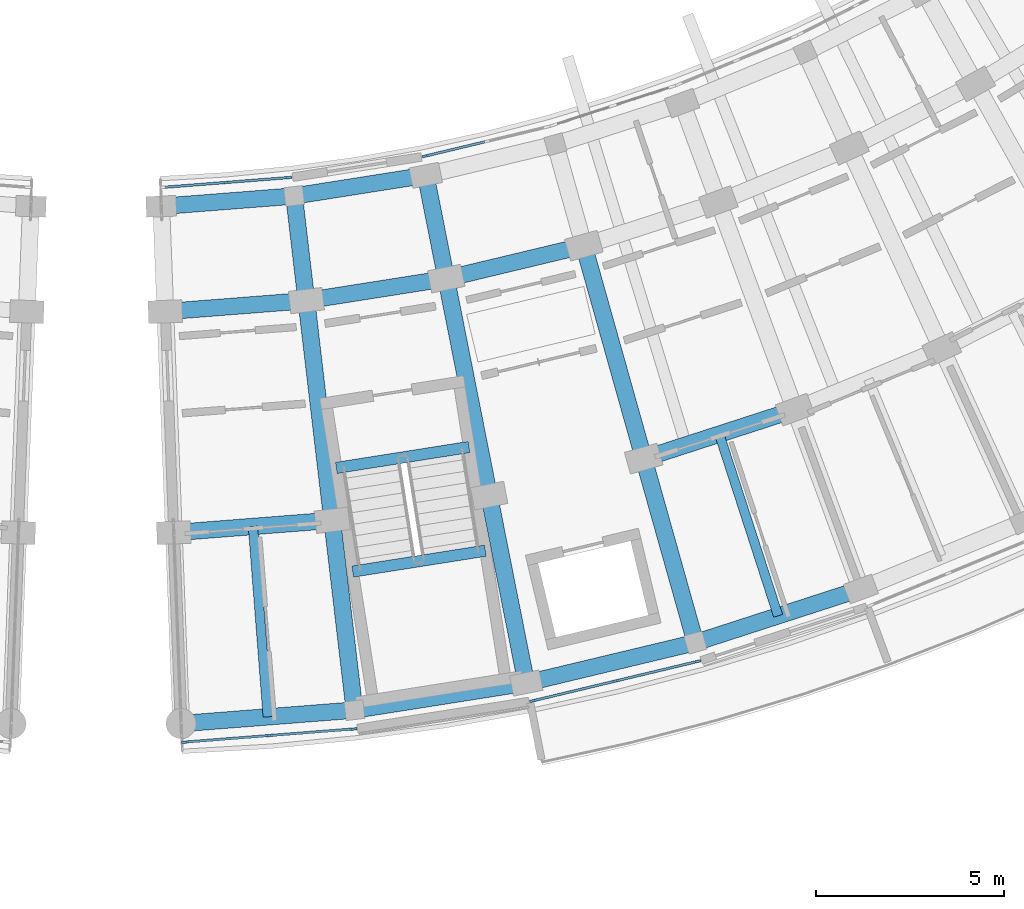
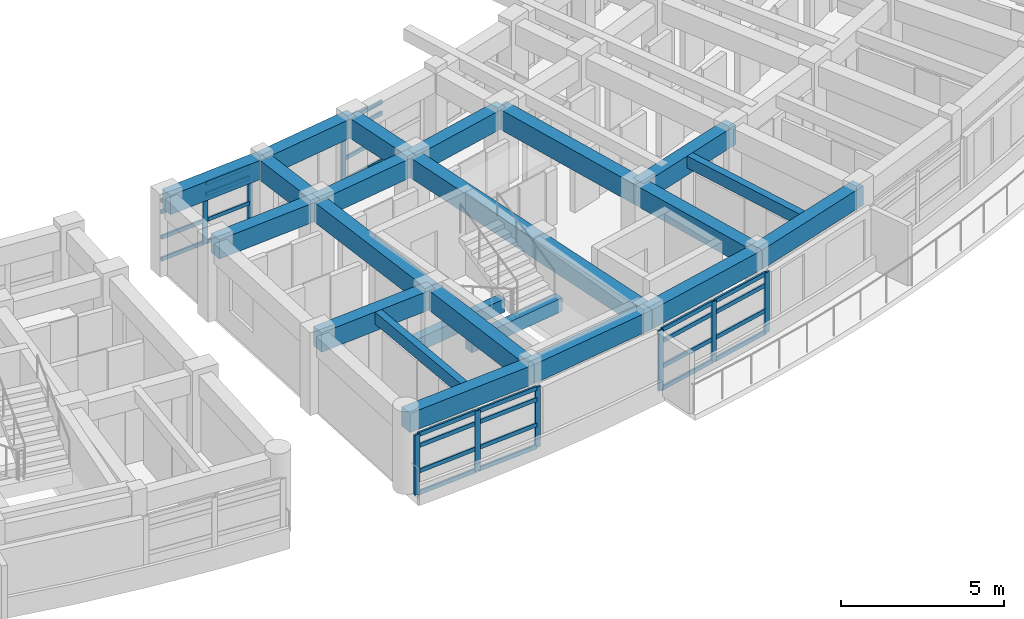
# One storey, part 27 of 70: 37 members, 23 beams, 4 elements without a shape of their own.
"""IFC4 building model written with IfcOpenShell, lengths in metres."""

from ifc_helpers import new_model, si_unit, direction, frame, origin, origin_2d, place, context, subcontext, project, spatial, rectangle, extrude, material, material_profile, profile_set, type_object, element, aggregate, save


model = new_model("IFC4")

# Units and contexts
model_context = context("Model", 3, precision=1e-05, world=origin(), true_north=direction((0.0, 1.0)))
body_context = subcontext(model_context, "Body", "Model", "MODEL_VIEW")
ifc_project = project(units=[si_unit("LENGTHUNIT", "METRE"), si_unit("AREAUNIT", "SQUARE_METRE"), si_unit("VOLUMEUNIT", "CUBIC_METRE"), si_unit("PLANEANGLEUNIT", "RADIAN"), si_unit("MASSUNIT", "GRAM", prefix="KILO")], contexts=[model_context])

# Site, building, storey
site_placement = place(None, origin())
site = spatial("IfcSite", under=ifc_project, at=site_placement, CompositionType="ELEMENT")
building_placement = place(site_placement, origin())
building = spatial("IfcBuilding", under=site, at=building_placement, Name="Zimvara Arc Housing Community", CompositionType="ELEMENT")
storey_placement = place(building_placement, frame((0.0, 0.0, 8.10009765625)))
storey = spatial("IfcBuildingStorey", under=building, at=storey_placement, Name="L02", CompositionType="ELEMENT", Elevation=8.10009765625)

# Beams
ifc_material_1 = material(Name="Concrete C40/50", Category="concrete")
ifc_material_profile_1 = material_profile(ifc_material_1, rectangle(XDim=0.25, YDim=0.449951171875, at=origin_2d()), Name="RC 250x450")
ifc_profile_set_1 = profile_set([ifc_material_profile_1], Name="Concrete C40/50")
beam_type_1 = type_object("IfcBeamType", Name="BM-RC-250x450", PredefinedType="JOIST", material=ifc_profile_set_1)
beam_1_placement = place(storey_placement, frame((130.151123046875, 56.263427734375, 2.65478515625), z_axis=(0.077579175615, -0.996986194243, 0.0), x_axis=(0.996986194243, 0.077579175615, 0.0)))
element("IfcBeam", 1, at=beam_1_placement, inside=storey, type_object=beam_type_1, Name="bm:blkD:L02:joist:b0", PredefinedType="JOIST", context=body_context, shape_type="SweptSolid", body=[
    extrude(rectangle(XDim=0.25, YDim=0.449951171875, at=origin_2d()), origin(), (0.0, 0.0, 1.0), 5.076171875),
])
beam_2_placement = place(storey_placement, frame((142.547607421875, 58.718017578125, 2.65478515625), z_axis=(0.308208278328, -0.951318904033, 0.0), x_axis=(0.951318904033, 0.308208278328, 0.0)))
element("IfcBeam", 2, at=beam_2_placement, inside=storey, type_object=beam_type_1, Name="bm:blkD:L02:joist:b3", PredefinedType="JOIST", context=body_context, shape_type="SweptSolid", body=[
    extrude(rectangle(XDim=0.25, YDim=0.449951171875, at=origin_2d()), origin(), (0.0, 0.0, 1.0), 5.075927734375),
])
ifc_material_2 = material(Name="Concrete C40/50", Category="concrete")
ifc_material_profile_2 = material_profile(ifc_material_2, rectangle(XDim=0.300048828125, YDim=0.5, at=origin_2d()), Name="RC 300x500")
ifc_profile_set_2 = profile_set([ifc_material_profile_2], Name="Concrete C40/50")
beam_type_2 = type_object("IfcBeamType", Name="BM-RC-300x500", PredefinedType="BEAM", material=ifc_profile_set_2)
for number, where, z_axis, x_axis, name in (
    (3, (132.36865234375, 57.8203125, -0.25), (0.987823881982, 0.155576277709, 0.0), (-0.155576277709, 0.987823881982, 0.0), "bm:stair_trim:ST-D1:L02:near"),
    (4, (132.802734375, 55.064208984375, 1.2998046875), (0.987823881982, 0.155576277709, 0.0), (-0.155576277709, 0.987823881982, 0.0), "bm:stair_trim:ST-D1:L02:mid"),
):
    element("IfcBeam", number, at=place(storey_placement, frame(where, z_axis=z_axis, x_axis=x_axis)), inside=storey, type_object=beam_type_2, Name=name, PredefinedType="BEAM", context=body_context, shape_type="SweptSolid", body=[
        extrude(rectangle(XDim=0.300048828125, YDim=0.5, at=origin_2d()), origin(), (0.0, 0.0, 1.0), 3.570068359375),
    ])
ifc_material_3 = material(Name="Concrete C40/50", Category="concrete")
ifc_material_profile_3 = material_profile(ifc_material_3, rectangle(XDim=0.43994140625, YDim=0.719970703125, at=origin_2d()), Name="RC 440x720")
ifc_profile_set_3 = profile_set([ifc_material_profile_3], Name="Concrete C40/50")
beam_type_3 = type_object("IfcBeamType", Name="BM-RC-440x720", PredefinedType="BEAM", material=ifc_profile_set_3)
beam_3_placement = place(storey_placement, frame((127.712158203125, 64.773193359375, 2.52001953125), z_axis=(0.996984758472, 0.077597624804, 0.0), x_axis=(-0.077597624804, 0.996984758472, 0.0)))
element("IfcBeam", 5, at=beam_3_placement, inside=storey, type_object=beam_type_3, Name="bm:blkD:L02:chord:r0:b0", PredefinedType="BEAM", context=body_context, shape_type="SweptSolid", body=[
    extrude(rectangle(XDim=0.43994140625, YDim=0.719970703125, at=origin_2d()), origin(), (0.0, 0.0, 1.0), 3.542724609375),
])
beam_4_placement = place(storey_placement, frame((131.244140625, 65.048095703125, 2.52001953125), z_axis=(0.98782044699, 0.155598086453, 0.0), x_axis=(-0.155598086453, 0.98782044699, 0.0)))
element("IfcBeam", 6, at=beam_4_placement, inside=storey, type_object=beam_type_3, Name="bm:blkD:L02:chord:r0:b1", PredefinedType="BEAM", context=body_context, shape_type="SweptSolid", body=[
    extrude(rectangle(XDim=0.43994140625, YDim=0.719970703125, at=origin_2d()), origin(), (0.0, 0.0, 1.0), 3.54296875),
])
beam_5_placement = place(storey_placement, frame((127.819580078125, 61.975341796875, 2.52001953125), z_axis=(0.996984223393, 0.077604499263, 0.0), x_axis=(-0.077604499263, 0.996984223393, 0.0)))
element("IfcBeam", 7, at=beam_5_placement, inside=storey, type_object=beam_type_3, Name="bm:blkD:L02:chord:r1:b0", PredefinedType="BEAM", context=body_context, shape_type="SweptSolid", body=[
    extrude(rectangle(XDim=0.43994140625, YDim=0.719970703125, at=origin_2d()), origin(), (0.0, 0.0, 1.0), 3.762451171875),
])
beam_6_placement = place(storey_placement, frame((131.57080078125, 62.267333984375, 2.52001953125), z_axis=(0.987830739488, 0.155532730068, 0.0), x_axis=(-0.155532730068, 0.987830739488, 0.0)))
element("IfcBeam", 8, at=beam_6_placement, inside=storey, type_object=beam_type_3, Name="bm:blkD:L02:chord:r1:b1", PredefinedType="BEAM", context=body_context, shape_type="SweptSolid", body=[
    extrude(rectangle(XDim=0.43994140625, YDim=0.719970703125, at=origin_2d()), origin(), (0.0, 0.0, 1.0), 3.7626953125),
])
beam_7_placement = place(storey_placement, frame((135.28759765625, 62.8525390625, 2.52001953125), z_axis=(0.97257251046, 0.232599896598, 0.0), x_axis=(-0.232599896598, 0.97257251046, 0.0)))
element("IfcBeam", 9, at=beam_7_placement, inside=storey, type_object=beam_type_3, Name="bm:blkD:L02:chord:r1:b2", PredefinedType="BEAM", context=body_context, shape_type="SweptSolid", body=[
    extrude(rectangle(XDim=0.43994140625, YDim=0.719970703125, at=origin_2d()), origin(), (0.0, 0.0, 1.0), 3.762939453125),
])
for number, where, z_axis, x_axis, name in (
    (10, (128.045166015625, 56.099609375, 2.52001953125), (0.996983350574, 0.077615711543, 0.0), (-0.077615711543, 0.996983350574, 0.0), "bm:blkD:L02:chord:r2:b0"),
    (11, (140.538330078125, 58.067138671875, 2.52001953125), (0.951319487454, 0.308206477528, 0.0), (-0.308206477528, 0.951319487454, 0.0), "bm:blkD:L02:chord:r2:b3"),
):
    element("IfcBeam", number, at=place(storey_placement, frame(where, z_axis=z_axis, x_axis=x_axis)), inside=storey, type_object=beam_type_3, Name=name, PredefinedType="BEAM", context=body_context, shape_type="SweptSolid", body=[
        extrude(rectangle(XDim=0.43994140625, YDim=0.719970703125, at=origin_2d()), origin(), (0.0, 0.0, 1.0), 4.224365234375),
    ])
for number, where, z_axis, x_axis, name in (
    (12, (128.240234375, 51.0234375, 2.52001953125), (0.996986694494, 0.077572746515, 0.0), (-0.077572746515, 0.996986694494, 0.0), "bm:blkD:L02:chord:r3:b0"),
    (13, (132.849609375, 51.382080078125, 2.52001953125), (0.987824544931, 0.155572068287, 0.0), (-0.155572068287, 0.987824544931, 0.0), "bm:blkD:L02:chord:r3:b1"),
):
    element("IfcBeam", number, at=place(storey_placement, frame(where, z_axis=z_axis, x_axis=x_axis)), inside=storey, type_object=beam_type_3, Name=name, PredefinedType="BEAM", context=body_context, shape_type="SweptSolid", body=[
        extrude(rectangle(XDim=0.43994140625, YDim=0.719970703125, at=origin_2d()), origin(), (0.0, 0.0, 1.0), 4.623291015625),
    ])
beam_8_placement = place(storey_placement, frame((137.41650390625, 52.101318359375, 2.52001953125), z_axis=(0.972567724572, 0.232619906974, 0.0), x_axis=(-0.232619906974, 0.972567724572, 0.0)))
element("IfcBeam", 14, at=beam_8_placement, inside=storey, type_object=beam_type_3, Name="bm:blkD:L02:chord:r3:b2", PredefinedType="BEAM", context=body_context, shape_type="SweptSolid", body=[
    extrude(rectangle(XDim=0.43994140625, YDim=0.719970703125, at=origin_2d()), origin(), (0.0, 0.0, 1.0), 4.623046875),
])
beam_9_placement = place(storey_placement, frame((141.912841796875, 53.1767578125, 2.52001953125), z_axis=(0.951331650007, 0.308168933695, 0.0), x_axis=(-0.308168933695, 0.951331650007, 0.0)))
element("IfcBeam", 15, at=beam_9_placement, inside=storey, type_object=beam_type_3, Name="bm:blkD:L02:chord:r3:b3", PredefinedType="BEAM", context=body_context, shape_type="SweptSolid", body=[
    extrude(rectangle(XDim=0.43994140625, YDim=0.719970703125, at=origin_2d()), origin(), (0.0, 0.0, 1.0), 4.62353515625),
])
ifc_material_4 = material(Name="Concrete C40/50", Category="concrete")
ifc_material_profile_4 = material_profile(ifc_material_4, rectangle(XDim=0.449951171875, YDim=0.75, at=origin_2d()), Name="RC 450x750")
ifc_profile_set_4 = profile_set([ifc_material_profile_4], Name="Concrete C40/50")
beam_type_4 = type_object("IfcBeamType", Name="BM-RC-450x750", PredefinedType="BEAM", material=ifc_profile_set_4)
beam_10_placement = place(storey_placement, frame((131.244140625, 65.048095703125, 2.5048828125), z_axis=(0.116669233141, -0.993170826212, 0.0), x_axis=(0.993170826212, 0.116669233141, 0.0)))
element("IfcBeam", 16, at=beam_10_placement, inside=storey, type_object=beam_type_4, Name="bm:blkD:L02:rad:b1:r01", PredefinedType="BEAM", context=body_context, shape_type="SweptSolid", body=[
    extrude(rectangle(XDim=0.449951171875, YDim=0.75, at=origin_2d()), origin(), (0.0, 0.0, 1.0), 2.7998046875),
])
beam_11_placement = place(storey_placement, frame((131.57080078125, 62.267333984375, 2.5048828125), z_axis=(0.116672613124, -0.993170429154, 0.0), x_axis=(0.993170429154, 0.116672613124, 0.0)))
element("IfcBeam", 17, at=beam_11_placement, inside=storey, type_object=beam_type_4, Name="bm:blkD:L02:rad:b1:r12", PredefinedType="BEAM", context=body_context, shape_type="SweptSolid", body=[
    extrude(rectangle(XDim=0.449951171875, YDim=0.75, at=origin_2d()), origin(), (0.0, 0.0, 1.0), 5.8798828125),
])
beam_12_placement = place(storey_placement, frame((132.2568359375, 56.427490234375, 2.5048828125), z_axis=(0.116685098261, -0.993168962384, 0.0), x_axis=(0.993168962384, 0.116685098261, 0.0)))
element("IfcBeam", 18, at=beam_12_placement, inside=storey, type_object=beam_type_4, Name="bm:blkD:L02:rad:b1:r23", PredefinedType="BEAM", context=body_context, shape_type="SweptSolid", body=[
    extrude(rectangle(XDim=0.449951171875, YDim=0.75, at=origin_2d()), origin(), (0.0, 0.0, 1.0), 5.080078125),
])
beam_13_placement = place(storey_placement, frame((134.743896484375, 65.599365234375, 2.5048828125), z_axis=(0.194170755423, -0.980967745514, 0.0), x_axis=(0.980967745514, 0.194170755423, 0.0)))
element("IfcBeam", 19, at=beam_13_placement, inside=storey, type_object=beam_type_4, Name="bm:blkD:L02:rad:b2:r01", PredefinedType="BEAM", context=body_context, shape_type="SweptSolid", body=[
    extrude(rectangle(XDim=0.449951171875, YDim=0.75, at=origin_2d()), origin(), (0.0, 0.0, 1.0), 2.800048828125),
])
beam_14_placement = place(storey_placement, frame((135.28759765625, 62.8525390625, 2.5048828125), z_axis=(0.194239306935, -0.980954174078, 0.0), x_axis=(0.980954174078, 0.194239306935, 0.0)))
element("IfcBeam", 20, at=beam_14_placement, inside=storey, type_object=beam_type_4, Name="bm:blkD:L02:rad:b2:r12", PredefinedType="BEAM", context=body_context, shape_type="SweptSolid", body=[
    extrude(rectangle(XDim=0.449951171875, YDim=0.75, at=origin_2d()), origin(), (0.0, 0.0, 1.0), 5.8798828125),
])
beam_15_placement = place(storey_placement, frame((136.4296875, 57.084716796875, 2.5048828125), z_axis=(0.194248925774, -0.980952269397, 0.0), x_axis=(0.980952269397, 0.194248925774, 0.0)))
element("IfcBeam", 21, at=beam_15_placement, inside=storey, type_object=beam_type_4, Name="bm:blkD:L02:rad:b2:r23", PredefinedType="BEAM", context=body_context, shape_type="SweptSolid", body=[
    extrude(rectangle(XDim=0.449951171875, YDim=0.75, at=origin_2d()), origin(), (0.0, 0.0, 1.0), 5.080078125),
])
beam_16_placement = place(storey_placement, frame((138.947265625, 63.727783203125, 2.5048828125), z_axis=(0.270589260785, -0.962694890372, 0.0), x_axis=(0.962694890372, 0.270589260785, 0.0)))
element("IfcBeam", 22, at=beam_16_placement, inside=storey, type_object=beam_type_4, Name="bm:blkD:L02:rad:b3:r12", PredefinedType="BEAM", context=body_context, shape_type="SweptSolid", body=[
    extrude(rectangle(XDim=0.449951171875, YDim=0.75, at=origin_2d()), origin(), (0.0, 0.0, 1.0), 5.8798828125),
])
beam_17_placement = place(storey_placement, frame((140.538330078125, 58.067138671875, 2.5048828125), z_axis=(0.270579949442, -0.962697507507, 0.0), x_axis=(0.962697507507, 0.270579949442, 0.0)))
element("IfcBeam", 23, at=beam_17_placement, inside=storey, type_object=beam_type_4, Name="bm:blkD:L02:rad:b3:r23", PredefinedType="BEAM", context=body_context, shape_type="SweptSolid", body=[
    extrude(rectangle(XDim=0.449951171875, YDim=0.75, at=origin_2d()), origin(), (0.0, 0.0, 1.0), 5.079833984375),
])

# Curtain wall, members
ifc_material_5 = material(Name="Anodised Aluminium AW-6063", Category="aluminium")
curtain_wall_type_1 = type_object("IfcCurtainWallType", Name="CW-SYS-06", PredefinedType="USERDEFINED", material=ifc_material_5)
curtain_wall_1_placement = place(storey_placement, origin())
curtain_wall_1 = element("IfcCurtainWall", 24, at=curtain_wall_1_placement, inside=storey, type_object=curtain_wall_type_1, Name="cw:blkD:L02:in:b0", ObjectType="CURTAIN WALL", PredefinedType="USERDEFINED")
ifc_material_6 = material(Name="Anodised Aluminium AW-6063", Category="aluminium")
ifc_material_profile_5 = material_profile(ifc_material_6, rectangle(XDim=0.06494140625, YDim=0.179931640625, at=origin_2d()), Name="ALU 65x180")
ifc_profile_set_5 = profile_set([ifc_material_profile_5], Name="Anodised Aluminium AW-6063")
member_type_1 = type_object("IfcMemberType", Name="CWM-65x150", PredefinedType="MULLION", material=ifc_profile_set_5)
member_1_placement = place(storey_placement, frame((129.439453125, 65.40869140625, 0.0), z_axis=(0.0, 0.0, 1.0), x_axis=(-0.077590099579, 0.996985344149, 0.0)))
member_1 = element("IfcMember", 25, at=member_1_placement, type_object=member_type_1, Name="CW06 mullion 2", PredefinedType="MULLION", context=body_context, shape_type="SweptSolid", body=[
    extrude(rectangle(XDim=0.06494140625, YDim=0.179931640625, at=origin_2d()), origin(), (0.0, 0.0, 1.0), 2.25),
])
member_2_placement = place(storey_placement, frame((131.09375, 65.53759765625, 0.0), z_axis=(0.0, 0.0, 1.0), x_axis=(-0.077590099579, 0.996985344149, 0.0)))
member_2 = element("IfcMember", 26, at=member_2_placement, type_object=member_type_1, Name="CW06 mullion 3", PredefinedType="MULLION", context=body_context, shape_type="SweptSolid", body=[
    extrude(rectangle(XDim=0.06494140625, YDim=0.179931640625, at=origin_2d()), origin(), (0.0, 0.0, 1.0), 2.25),
])

# Curtain wall, member
ifc_material_7 = material(Name="Anodised Aluminium AW-6063", Category="aluminium")
curtain_wall_type_2 = type_object("IfcCurtainWallType", Name="CW-SYS-08", PredefinedType="USERDEFINED", material=ifc_material_7)
curtain_wall_2_placement = place(storey_placement, origin())
curtain_wall_2 = element("IfcCurtainWall", 27, at=curtain_wall_2_placement, inside=storey, type_object=curtain_wall_type_2, Name="cw:blkD:L02:in:b2", ObjectType="CURTAIN WALL", PredefinedType="USERDEFINED")
member_3_placement = place(storey_placement, frame((134.73681640625, 66.111328125, 0.0), z_axis=(0.0, 0.0, 1.0), x_axis=(-0.232596003485, 0.972573441526, 0.0)))
member_3 = element("IfcMember", 28, at=member_3_placement, type_object=member_type_1, Name="CW08 mullion 1", PredefinedType="MULLION", context=body_context, shape_type="SweptSolid", body=[
    extrude(rectangle(XDim=0.06494140625, YDim=0.179931640625, at=origin_2d()), origin(), (0.0, 0.0, 1.0), 2.25),
])

# Curtain wall, members
ifc_material_8 = material(Name="Anodised Aluminium AW-6063", Category="aluminium")
curtain_wall_type_3 = type_object("IfcCurtainWallType", Name="CW-SYS-05", PredefinedType="USERDEFINED", material=ifc_material_8)
curtain_wall_3_placement = place(storey_placement, origin())
curtain_wall_3 = element("IfcCurtainWall", 29, at=curtain_wall_3_placement, inside=storey, type_object=curtain_wall_type_3, Name="cw:blkD:L02:out:b0", ObjectType="CURTAIN WALL", PredefinedType="USERDEFINED")
ifc_material_9 = material(Name="Anodised Aluminium AW-6063", Category="aluminium")
ifc_material_profile_6 = material_profile(ifc_material_9, rectangle(XDim=0.06494140625, YDim=0.195068359375, at=origin_2d()), Name="ALU 65x195")
ifc_profile_set_6 = profile_set([ifc_material_profile_6], Name="Anodised Aluminium AW-6063")
member_type_2 = type_object("IfcMemberType", Name="CWM-65x180", PredefinedType="MULLION", material=ifc_profile_set_6)
member_4_placement = place(storey_placement, frame((128.351806640625, 50.531005859375, 0.0), z_axis=(0.0, 0.0, 1.0), x_axis=(-0.077589538059, 0.996985387849, 0.0)))
member_4 = element("IfcMember", 30, at=member_4_placement, type_object=member_type_2, Name="CW05 mullion 1", PredefinedType="MULLION", context=body_context, shape_type="SweptSolid", body=[
    extrude(rectangle(XDim=0.06494140625, YDim=0.195068359375, at=origin_2d()), origin(), (0.0, 0.0, 1.0), 2.25),
])
member_5_placement = place(storey_placement, frame((130.583740234375, 50.70458984375, 0.0), z_axis=(0.0, 0.0, 1.0), x_axis=(-0.077589538059, 0.996985387849, 0.0)))
member_5 = element("IfcMember", 31, at=member_5_placement, type_object=member_type_2, Name="CW05 mullion 2", PredefinedType="MULLION", context=body_context, shape_type="SweptSolid", body=[
    extrude(rectangle(XDim=0.06494140625, YDim=0.195068359375, at=origin_2d()), origin(), (0.0, 0.0, 1.0), 2.25),
])
member_6_placement = place(storey_placement, frame((132.815673828125, 50.87841796875, 0.0), z_axis=(0.0, 0.0, 1.0), x_axis=(-0.077589538059, 0.996985387849, 0.0)))
member_6 = element("IfcMember", 32, at=member_6_placement, type_object=member_type_2, Name="CW05 mullion 3", PredefinedType="MULLION", context=body_context, shape_type="SweptSolid", body=[
    extrude(rectangle(XDim=0.06494140625, YDim=0.195068359375, at=origin_2d()), origin(), (0.0, 0.0, 1.0), 2.25),
])

ifc_material_10 = material(Name="Anodised Aluminium AW-6063", Category="aluminium")
curtain_wall_type_4 = type_object("IfcCurtainWallType", Name="CW-SYS-07", PredefinedType="USERDEFINED", material=ifc_material_10)
curtain_wall_4_placement = place(storey_placement, origin())
curtain_wall_4 = element("IfcCurtainWall", 33, at=curtain_wall_4_placement, inside=storey, type_object=curtain_wall_type_4, Name="cw:blkD:L02:out:b2", ObjectType="CURTAIN WALL", PredefinedType="USERDEFINED")
member_7_placement = place(storey_placement, frame((137.603515625, 51.63232421875, 0.0), z_axis=(0.0, 0.0, 1.0), x_axis=(-0.232596798101, 0.97257325149, 0.0)))
member_7 = element("IfcMember", 34, at=member_7_placement, type_object=member_type_2, Name="CW07 mullion 1", PredefinedType="MULLION", context=body_context, shape_type="SweptSolid", body=[
    extrude(rectangle(XDim=0.06494140625, YDim=0.195068359375, at=origin_2d()), origin(), (0.0, 0.0, 1.0), 2.25),
])
member_8_placement = place(storey_placement, frame((139.781005859375, 52.153076171875, 0.0), z_axis=(0.0, 0.0, 1.0), x_axis=(-0.232596798101, 0.97257325149, 0.0)))
member_8 = element("IfcMember", 35, at=member_8_placement, type_object=member_type_2, Name="CW07 mullion 2", PredefinedType="MULLION", context=body_context, shape_type="SweptSolid", body=[
    extrude(rectangle(XDim=0.06494140625, YDim=0.195068359375, at=origin_2d()), origin(), (0.0, 0.0, 1.0), 2.25),
])
member_9_placement = place(storey_placement, frame((141.958251953125, 52.673828125, 0.0), z_axis=(0.0, 0.0, 1.0), x_axis=(-0.232596798101, 0.97257325149, 0.0)))
member_9 = element("IfcMember", 36, at=member_9_placement, type_object=member_type_2, Name="CW07 mullion 3", PredefinedType="MULLION", context=body_context, shape_type="SweptSolid", body=[
    extrude(rectangle(XDim=0.06494140625, YDim=0.195068359375, at=origin_2d()), origin(), (0.0, 0.0, 1.0), 2.25),
])

# Member
ifc_material_11 = material(Name="Anodised Aluminium AW-6063", Category="aluminium")
ifc_material_profile_7 = material_profile(ifc_material_11, rectangle(XDim=0.06494140625, YDim=0.139892578125, at=origin_2d()), Name="ALU 65x140")
ifc_profile_set_7 = profile_set([ifc_material_profile_7], Name="Anodised Aluminium AW-6063")
member_type_3 = type_object("IfcMemberType", Name="CWT-65x120", PredefinedType="USERDEFINED", material=ifc_profile_set_7)
member_10_placement = place(storey_placement, frame((127.8173828125, 65.282470703125, 0.032470703125), z_axis=(0.996981987707, 0.077633215753, 0.0), x_axis=(-0.077633215753, 0.996981987707, 0.0)))
member_10 = element("IfcMember", 37, at=member_10_placement, type_object=member_type_3, Name="CW06 transom 1.1", ObjectType="TRANSOM", PredefinedType="USERDEFINED", context=body_context, shape_type="SweptSolid", body=[
    extrude(rectangle(XDim=0.06494140625, YDim=0.139892578125, at=origin_2d()), origin(), (0.0, 0.0, 1.0), 1.594482421875),
])

member_11_placement = place(storey_placement, frame((127.8173828125, 65.282470703125, 0.849853515625), z_axis=(0.996981987707, 0.077633215753, 0.0), x_axis=(-0.077633215753, 0.996981987707, 0.0)))
member_11 = element("IfcMember", 38, at=member_11_placement, type_object=member_type_3, Name="CW06 transom 1.2", ObjectType="TRANSOM", PredefinedType="USERDEFINED", context=body_context, shape_type="SweptSolid", body=[
    extrude(rectangle(XDim=0.06494140625, YDim=0.139892578125, at=origin_2d()), origin(), (0.0, 0.0, 1.0), 1.594482421875),
])

member_12_placement = place(storey_placement, frame((127.8173828125, 65.282470703125, 1.7998046875), z_axis=(0.996981987707, 0.077633215753, 0.0), x_axis=(-0.077633215753, 0.996981987707, 0.0)))
member_12 = element("IfcMember", 39, at=member_12_placement, type_object=member_type_3, Name="CW06 transom 1.3", ObjectType="TRANSOM", PredefinedType="USERDEFINED", context=body_context, shape_type="SweptSolid", body=[
    extrude(rectangle(XDim=0.06494140625, YDim=0.139892578125, at=origin_2d()), origin(), (0.0, 0.0, 1.0), 1.594482421875),
])

member_13_placement = place(storey_placement, frame((127.8173828125, 65.282470703125, 2.21728515625), z_axis=(0.996981987707, 0.077633215753, 0.0), x_axis=(-0.077633215753, 0.996981987707, 0.0)))
member_13 = element("IfcMember", 40, at=member_13_placement, type_object=member_type_3, Name="CW06 transom 1.4", ObjectType="TRANSOM", PredefinedType="USERDEFINED", context=body_context, shape_type="SweptSolid", body=[
    extrude(rectangle(XDim=0.06494140625, YDim=0.139892578125, at=origin_2d()), origin(), (0.0, 0.0, 1.0), 1.594482421875),
])

member_14_placement = place(storey_placement, frame((129.4716796875, 65.411376953125, 0.032470703125), z_axis=(0.996993827762, 0.077481013185, 0.0), x_axis=(-0.077481013185, 0.996993827762, 0.0)))
member_14 = element("IfcMember", 41, at=member_14_placement, type_object=member_type_3, Name="CW06 transom 2.1", ObjectType="TRANSOM", PredefinedType="USERDEFINED", context=body_context, shape_type="SweptSolid", body=[
    extrude(rectangle(XDim=0.06494140625, YDim=0.139892578125, at=origin_2d()), origin(), (0.0, 0.0, 1.0), 1.594482421875),
])

member_15_placement = place(storey_placement, frame((129.4716796875, 65.411376953125, 0.849853515625), z_axis=(0.996993827762, 0.077481013185, 0.0), x_axis=(-0.077481013185, 0.996993827762, 0.0)))
member_15 = element("IfcMember", 42, at=member_15_placement, type_object=member_type_3, Name="CW06 transom 2.2", ObjectType="TRANSOM", PredefinedType="USERDEFINED", context=body_context, shape_type="SweptSolid", body=[
    extrude(rectangle(XDim=0.06494140625, YDim=0.139892578125, at=origin_2d()), origin(), (0.0, 0.0, 1.0), 1.594482421875),
])

member_16_placement = place(storey_placement, frame((129.4716796875, 65.411376953125, 1.7998046875), z_axis=(0.996993827762, 0.077481013185, 0.0), x_axis=(-0.077481013185, 0.996993827762, 0.0)))
member_16 = element("IfcMember", 43, at=member_16_placement, type_object=member_type_3, Name="CW06 transom 2.3", ObjectType="TRANSOM", PredefinedType="USERDEFINED", context=body_context, shape_type="SweptSolid", body=[
    extrude(rectangle(XDim=0.06494140625, YDim=0.139892578125, at=origin_2d()), origin(), (0.0, 0.0, 1.0), 1.594482421875),
])

member_17_placement = place(storey_placement, frame((129.4716796875, 65.411376953125, 2.21728515625), z_axis=(0.996993827762, 0.077481013185, 0.0), x_axis=(-0.077481013185, 0.996993827762, 0.0)))
member_17 = element("IfcMember", 44, at=member_17_placement, type_object=member_type_3, Name="CW06 transom 2.4", ObjectType="TRANSOM", PredefinedType="USERDEFINED", context=body_context, shape_type="SweptSolid", body=[
    extrude(rectangle(XDim=0.06494140625, YDim=0.139892578125, at=origin_2d()), origin(), (0.0, 0.0, 1.0), 1.594482421875),
])

aggregate(curtain_wall_1, [member_1, member_2, member_10, member_11, member_12, member_13, member_14, member_15, member_16, member_17])

member_18_placement = place(storey_placement, frame((134.768310546875, 66.118896484375, 0.032470703125), z_axis=(0.972569101566, 0.232614149784, 0.0), x_axis=(-0.232614149784, 0.972569101566, 0.0)))
member_18 = element("IfcMember", 45, at=member_18_placement, type_object=member_type_3, Name="CW08 transom 1.1", ObjectType="TRANSOM", PredefinedType="USERDEFINED", context=body_context, shape_type="SweptSolid", body=[
    extrude(rectangle(XDim=0.06494140625, YDim=0.139892578125, at=origin_2d()), origin(), (0.0, 0.0, 1.0), 1.59423828125),
])

member_19_placement = place(storey_placement, frame((134.768310546875, 66.118896484375, 0.849853515625), z_axis=(0.972569101566, 0.232614149784, 0.0), x_axis=(-0.232614149784, 0.972569101566, 0.0)))
member_19 = element("IfcMember", 46, at=member_19_placement, type_object=member_type_3, Name="CW08 transom 1.2", ObjectType="TRANSOM", PredefinedType="USERDEFINED", context=body_context, shape_type="SweptSolid", body=[
    extrude(rectangle(XDim=0.06494140625, YDim=0.139892578125, at=origin_2d()), origin(), (0.0, 0.0, 1.0), 1.59423828125),
])

member_20_placement = place(storey_placement, frame((134.768310546875, 66.118896484375, 1.7998046875), z_axis=(0.972569101566, 0.232614149784, 0.0), x_axis=(-0.232614149784, 0.972569101566, 0.0)))
member_20 = element("IfcMember", 47, at=member_20_placement, type_object=member_type_3, Name="CW08 transom 1.3", ObjectType="TRANSOM", PredefinedType="USERDEFINED", context=body_context, shape_type="SweptSolid", body=[
    extrude(rectangle(XDim=0.06494140625, YDim=0.139892578125, at=origin_2d()), origin(), (0.0, 0.0, 1.0), 1.59423828125),
])

member_21_placement = place(storey_placement, frame((134.768310546875, 66.118896484375, 2.21728515625), z_axis=(0.972569101566, 0.232614149784, 0.0), x_axis=(-0.232614149784, 0.972569101566, 0.0)))
member_21 = element("IfcMember", 48, at=member_21_placement, type_object=member_type_3, Name="CW08 transom 1.4", ObjectType="TRANSOM", PredefinedType="USERDEFINED", context=body_context, shape_type="SweptSolid", body=[
    extrude(rectangle(XDim=0.06494140625, YDim=0.139892578125, at=origin_2d()), origin(), (0.0, 0.0, 1.0), 1.59423828125),
])

aggregate(curtain_wall_2, [member_3, member_18, member_19, member_20, member_21])

ifc_material_12 = material(Name="Anodised Aluminium AW-6063", Category="aluminium")
ifc_material_profile_8 = material_profile(ifc_material_12, rectangle(XDim=0.06494140625, YDim=0.155029296875, at=origin_2d()), Name="ALU 65x155")
ifc_profile_set_8 = profile_set([ifc_material_profile_8], Name="Anodised Aluminium AW-6063")
member_type_4 = type_object("IfcMemberType", Name="CWT-65x140", PredefinedType="USERDEFINED", material=ifc_profile_set_8)
member_22_placement = place(storey_placement, frame((128.384033203125, 50.533447265625, 0.032470703125), z_axis=(0.99698404072, 0.077606846022, 0.0), x_axis=(-0.077606846022, 0.99698404072, 0.0)))
member_22 = element("IfcMember", 49, at=member_22_placement, type_object=member_type_4, Name="CW05 transom 1.1", ObjectType="TRANSOM", PredefinedType="USERDEFINED", context=body_context, shape_type="SweptSolid", body=[
    extrude(rectangle(XDim=0.06494140625, YDim=0.155029296875, at=origin_2d()), origin(), (0.0, 0.0, 1.0), 2.173828125),
])

member_23_placement = place(storey_placement, frame((128.384033203125, 50.533447265625, 0.849853515625), z_axis=(0.99698404072, 0.077606846022, 0.0), x_axis=(-0.077606846022, 0.99698404072, 0.0)))
member_23 = element("IfcMember", 50, at=member_23_placement, type_object=member_type_4, Name="CW05 transom 1.2", ObjectType="TRANSOM", PredefinedType="USERDEFINED", context=body_context, shape_type="SweptSolid", body=[
    extrude(rectangle(XDim=0.06494140625, YDim=0.155029296875, at=origin_2d()), origin(), (0.0, 0.0, 1.0), 2.173828125),
])

member_24_placement = place(storey_placement, frame((128.384033203125, 50.533447265625, 1.7998046875), z_axis=(0.99698404072, 0.077606846022, 0.0), x_axis=(-0.077606846022, 0.99698404072, 0.0)))
member_24 = element("IfcMember", 51, at=member_24_placement, type_object=member_type_4, Name="CW05 transom 1.3", ObjectType="TRANSOM", PredefinedType="USERDEFINED", context=body_context, shape_type="SweptSolid", body=[
    extrude(rectangle(XDim=0.06494140625, YDim=0.155029296875, at=origin_2d()), origin(), (0.0, 0.0, 1.0), 2.173828125),
])

member_25_placement = place(storey_placement, frame((128.384033203125, 50.533447265625, 2.21728515625), z_axis=(0.99698404072, 0.077606846022, 0.0), x_axis=(-0.077606846022, 0.99698404072, 0.0)))
member_25 = element("IfcMember", 52, at=member_25_placement, type_object=member_type_4, Name="CW05 transom 1.4", ObjectType="TRANSOM", PredefinedType="USERDEFINED", context=body_context, shape_type="SweptSolid", body=[
    extrude(rectangle(XDim=0.06494140625, YDim=0.155029296875, at=origin_2d()), origin(), (0.0, 0.0, 1.0), 2.173828125),
])

member_26_placement = place(storey_placement, frame((130.6162109375, 50.707275390625, 0.032470703125), z_axis=(0.996992049751, 0.0775038885, 0.0), x_axis=(-0.0775038885, 0.996992049751, 0.0)))
member_26 = element("IfcMember", 53, at=member_26_placement, type_object=member_type_4, Name="CW05 transom 2.1", ObjectType="TRANSOM", PredefinedType="USERDEFINED", context=body_context, shape_type="SweptSolid", body=[
    extrude(rectangle(XDim=0.06494140625, YDim=0.155029296875, at=origin_2d()), origin(), (0.0, 0.0, 1.0), 2.173583984375),
])

member_27_placement = place(storey_placement, frame((130.6162109375, 50.707275390625, 0.849853515625), z_axis=(0.996992049751, 0.0775038885, 0.0), x_axis=(-0.0775038885, 0.996992049751, 0.0)))
member_27 = element("IfcMember", 54, at=member_27_placement, type_object=member_type_4, Name="CW05 transom 2.2", ObjectType="TRANSOM", PredefinedType="USERDEFINED", context=body_context, shape_type="SweptSolid", body=[
    extrude(rectangle(XDim=0.06494140625, YDim=0.155029296875, at=origin_2d()), origin(), (0.0, 0.0, 1.0), 2.173583984375),
])

member_28_placement = place(storey_placement, frame((130.6162109375, 50.707275390625, 1.7998046875), z_axis=(0.996992049751, 0.0775038885, 0.0), x_axis=(-0.0775038885, 0.996992049751, 0.0)))
member_28 = element("IfcMember", 55, at=member_28_placement, type_object=member_type_4, Name="CW05 transom 2.3", ObjectType="TRANSOM", PredefinedType="USERDEFINED", context=body_context, shape_type="SweptSolid", body=[
    extrude(rectangle(XDim=0.06494140625, YDim=0.155029296875, at=origin_2d()), origin(), (0.0, 0.0, 1.0), 2.173583984375),
])

member_29_placement = place(storey_placement, frame((130.6162109375, 50.707275390625, 2.21728515625), z_axis=(0.996992049751, 0.0775038885, 0.0), x_axis=(-0.0775038885, 0.996992049751, 0.0)))
member_29 = element("IfcMember", 56, at=member_29_placement, type_object=member_type_4, Name="CW05 transom 2.4", ObjectType="TRANSOM", PredefinedType="USERDEFINED", context=body_context, shape_type="SweptSolid", body=[
    extrude(rectangle(XDim=0.06494140625, YDim=0.155029296875, at=origin_2d()), origin(), (0.0, 0.0, 1.0), 2.173583984375),
])

aggregate(curtain_wall_3, [member_4, member_5, member_6, member_22, member_23, member_24, member_25, member_26, member_27, member_28, member_29])

member_30_placement = place(storey_placement, frame((137.63525390625, 51.639892578125, 0.032470703125), z_axis=(0.972569501663, 0.232612476954, 0.0), x_axis=(-0.232612476954, 0.972569501663, 0.0)))
member_30 = element("IfcMember", 57, at=member_30_placement, type_object=member_type_4, Name="CW07 transom 1.1", ObjectType="TRANSOM", PredefinedType="USERDEFINED", context=body_context, shape_type="SweptSolid", body=[
    extrude(rectangle(XDim=0.06494140625, YDim=0.155029296875, at=origin_2d()), origin(), (0.0, 0.0, 1.0), 2.173583984375),
])

member_31_placement = place(storey_placement, frame((137.63525390625, 51.639892578125, 0.849853515625), z_axis=(0.972569501663, 0.232612476954, 0.0), x_axis=(-0.232612476954, 0.972569501663, 0.0)))
member_31 = element("IfcMember", 58, at=member_31_placement, type_object=member_type_4, Name="CW07 transom 1.2", ObjectType="TRANSOM", PredefinedType="USERDEFINED", context=body_context, shape_type="SweptSolid", body=[
    extrude(rectangle(XDim=0.06494140625, YDim=0.155029296875, at=origin_2d()), origin(), (0.0, 0.0, 1.0), 2.173583984375),
])

member_32_placement = place(storey_placement, frame((137.63525390625, 51.639892578125, 1.7998046875), z_axis=(0.972569501663, 0.232612476954, 0.0), x_axis=(-0.232612476954, 0.972569501663, 0.0)))
member_32 = element("IfcMember", 59, at=member_32_placement, type_object=member_type_4, Name="CW07 transom 1.3", ObjectType="TRANSOM", PredefinedType="USERDEFINED", context=body_context, shape_type="SweptSolid", body=[
    extrude(rectangle(XDim=0.06494140625, YDim=0.155029296875, at=origin_2d()), origin(), (0.0, 0.0, 1.0), 2.173583984375),
])

member_33_placement = place(storey_placement, frame((137.63525390625, 51.639892578125, 2.21728515625), z_axis=(0.972569501663, 0.232612476954, 0.0), x_axis=(-0.232612476954, 0.972569501663, 0.0)))
member_33 = element("IfcMember", 60, at=member_33_placement, type_object=member_type_4, Name="CW07 transom 1.4", ObjectType="TRANSOM", PredefinedType="USERDEFINED", context=body_context, shape_type="SweptSolid", body=[
    extrude(rectangle(XDim=0.06494140625, YDim=0.155029296875, at=origin_2d()), origin(), (0.0, 0.0, 1.0), 2.173583984375),
])

member_34_placement = place(storey_placement, frame((139.8125, 52.16064453125, 0.032470703125), z_axis=(0.972575578083, 0.232587069539, 0.0), x_axis=(-0.232587069539, 0.972575578083, 0.0)))
member_34 = element("IfcMember", 61, at=member_34_placement, type_object=member_type_4, Name="CW07 transom 2.1", ObjectType="TRANSOM", PredefinedType="USERDEFINED", context=body_context, shape_type="SweptSolid", body=[
    extrude(rectangle(XDim=0.06494140625, YDim=0.155029296875, at=origin_2d()), origin(), (0.0, 0.0, 1.0), 2.173828125),
])

member_35_placement = place(storey_placement, frame((139.8125, 52.16064453125, 0.849853515625), z_axis=(0.972575578083, 0.232587069539, 0.0), x_axis=(-0.232587069539, 0.972575578083, 0.0)))
member_35 = element("IfcMember", 62, at=member_35_placement, type_object=member_type_4, Name="CW07 transom 2.2", ObjectType="TRANSOM", PredefinedType="USERDEFINED", context=body_context, shape_type="SweptSolid", body=[
    extrude(rectangle(XDim=0.06494140625, YDim=0.155029296875, at=origin_2d()), origin(), (0.0, 0.0, 1.0), 2.173828125),
])

member_36_placement = place(storey_placement, frame((139.8125, 52.16064453125, 1.7998046875), z_axis=(0.972575578083, 0.232587069539, 0.0), x_axis=(-0.232587069539, 0.972575578083, 0.0)))
member_36 = element("IfcMember", 63, at=member_36_placement, type_object=member_type_4, Name="CW07 transom 2.3", ObjectType="TRANSOM", PredefinedType="USERDEFINED", context=body_context, shape_type="SweptSolid", body=[
    extrude(rectangle(XDim=0.06494140625, YDim=0.155029296875, at=origin_2d()), origin(), (0.0, 0.0, 1.0), 2.173828125),
])

member_37_placement = place(storey_placement, frame((139.8125, 52.16064453125, 2.21728515625), z_axis=(0.972575578083, 0.232587069539, 0.0), x_axis=(-0.232587069539, 0.972575578083, 0.0)))
member_37 = element("IfcMember", 64, at=member_37_placement, type_object=member_type_4, Name="CW07 transom 2.4", ObjectType="TRANSOM", PredefinedType="USERDEFINED", context=body_context, shape_type="SweptSolid", body=[
    extrude(rectangle(XDim=0.06494140625, YDim=0.155029296875, at=origin_2d()), origin(), (0.0, 0.0, 1.0), 2.173828125),
])

aggregate(curtain_wall_4, [member_7, member_8, member_9, member_30, member_31, member_32, member_33, member_34, member_35, member_36, member_37])

save(model, "model.ifc")
